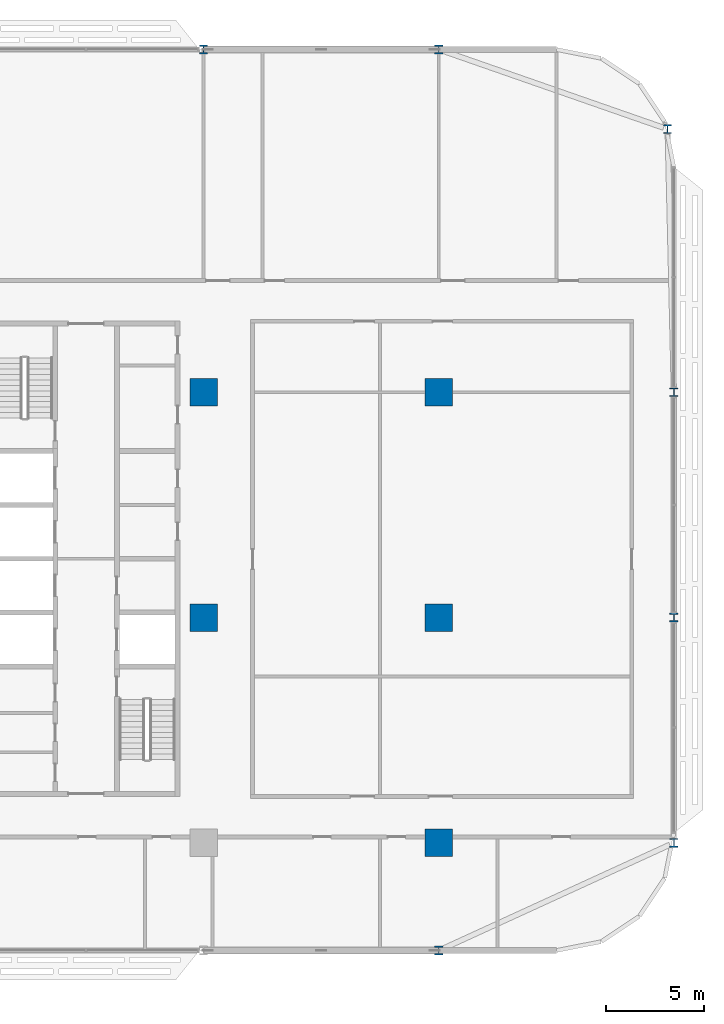
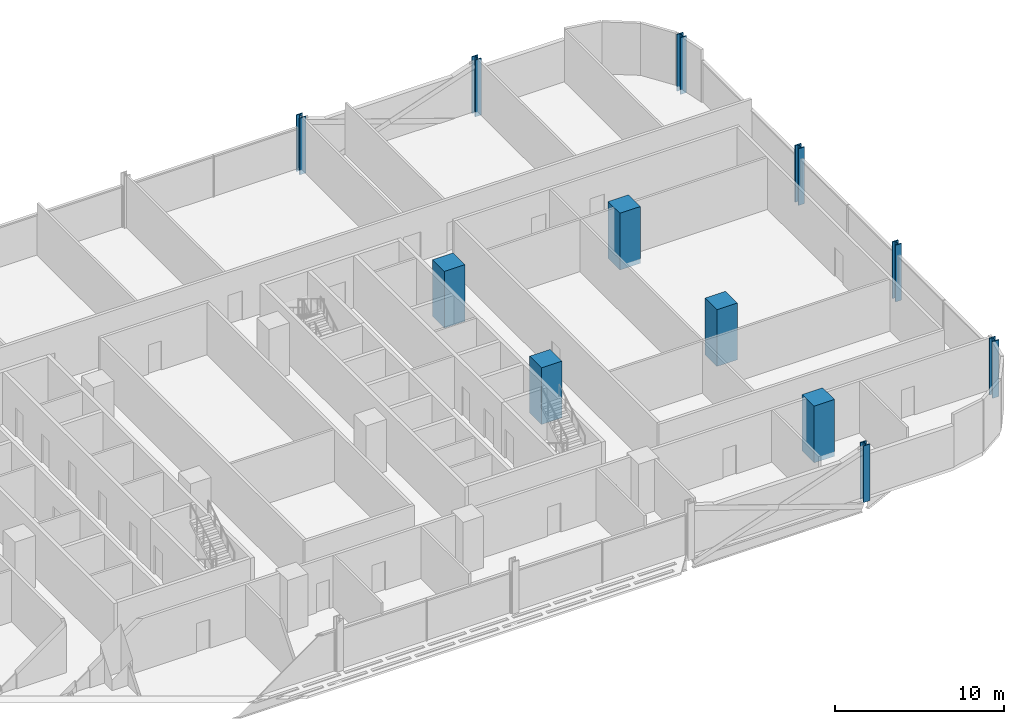
# One storey, part 2 of 29: 12 columns.
"""IFC4 building model written with IfcOpenShell, lengths in metres."""

from ifc_helpers import new_model, si_unit, direction, frame, origin, origin_2d, place, context, subcontext, project, spatial, rectangle, i_section, extrude, material, material_profile, profile_set, type_object, element, save


model = new_model("IFC4")

# Units and contexts
model_context = context("Model", 3, precision=1e-05, world=origin(), true_north=direction((0.0, 1.0)))
body_context = subcontext(model_context, "Body", "Model", "MODEL_VIEW")
ifc_project = project(units=[si_unit("LENGTHUNIT", "METRE"), si_unit("AREAUNIT", "SQUARE_METRE"), si_unit("VOLUMEUNIT", "CUBIC_METRE"), si_unit("PLANEANGLEUNIT", "RADIAN"), si_unit("MASSUNIT", "GRAM", prefix="KILO")], contexts=[model_context])

# Site, building, storey
site_placement = place(None, origin())
site = spatial("IfcSite", under=ifc_project, at=site_placement, CompositionType="ELEMENT")
building_placement = place(site_placement, origin())
building = spatial("IfcBuilding", under=site, at=building_placement, Name="Mahtab Terrace Research Tower", CompositionType="ELEMENT")
storey_placement = place(building_placement, frame((0.0, 0.0, 93.0)))
storey = spatial("IfcBuildingStorey", under=building, at=storey_placement, Name="L21", CompositionType="ELEMENT", Elevation=93.0)

# Columns
ifc_material_1 = material(Name="Concrete C70/85", Category="concrete")
ifc_material_profile_1 = material_profile(ifc_material_1, rectangle(XDim=1.39990234375, YDim=1.39990234375, at=origin_2d()), Name="RC column 1400x1400")
ifc_profile_set_1 = profile_set([ifc_material_profile_1], Name="Concrete C70/85")
column_type_1 = type_object("IfcColumnType", Name="RC column 1400x1400", PredefinedType="COLUMN", material=ifc_profile_set_1)
for number, where, z_axis, x_axis, name in (
    (1, (30.0, 0.0, -0.340087890625), (0.0, 0.0, 1.0), (1.0, 0.0, 0.0), "Column RC-7B L21"),
    (2, (30.0, 11.5, -0.340087890625), (0.0, 0.0, 1.0), (1.0, 0.0, 0.0), "Column RC-7C L21"),
    (3, (42.0, -11.5, -0.340087890625), (0.0, 0.0, 1.0), (1.0, 0.0, 0.0), "Column RC-8A L21"),
    (4, (42.0, 0.0, -0.340087890625), (0.0, 0.0, 1.0), (1.0, 0.0, 0.0), "Column RC-8B L21"),
    (5, (42.0, 11.5, -0.340087890625), (0.0, 0.0, 1.0), (1.0, 0.0, 0.0), "Column RC-8C L21"),
):
    element("IfcColumn", number, at=place(storey_placement, frame(where, z_axis=z_axis, x_axis=x_axis)), inside=storey, type_object=column_type_1, Name=name, PredefinedType="COLUMN", context=body_context, shape_type="SweptSolid", body=[
        extrude(rectangle(XDim=1.39990234375, YDim=1.39990234375, at=origin_2d()), origin(), (0.0, 0.0, 1.0), 4.10009765625),
    ])
ifc_material_2 = material(Name="Steel ASTM A992 Gr 50", Category="steel")
ifc_material_profile_2 = material_profile(ifc_material_2, i_section(OverallWidth=0.419189453125, OverallDepth=0.45458984375, WebThickness=0.042236328125, FlangeThickness=0.067626953125, at=origin_2d()), Name="W14X370")
ifc_profile_set_2 = profile_set([ifc_material_profile_2], Name="Steel ASTM A992 Gr 50")
column_type_2 = type_object("IfcColumnType", Name="W14x370 column CS14370", PredefinedType="COLUMN", material=ifc_profile_set_2)
for number, where, z_axis, x_axis, name in (
    (6, (53.681884765625, 24.927001953125, -0.340087890625), (0.0, 0.0, 1.0), (1.0, 0.0, 0.0), "Column SC-030 L21"),
    (7, (42.0, 29.0, -0.340087890625), (0.0, 0.0, 1.0), (1.0, 0.0, 0.0), "Column SC-031 L21"),
    (8, (30.0, 29.0, -0.340087890625), (0.0, 0.0, 1.0), (1.0, 0.0, 0.0), "Column SC-032 L21"),
    (9, (42.0, -17.0, -0.340087890625), (0.0, 0.0, 1.0), (1.0, 0.0, 0.0), "Column SC-045 L21"),
    (10, (54.0, -11.5, -0.340087890625), (0.0, 0.0, 1.0), (1.0, 0.0, 0.0), "Column SC-027 L21"),
    (11, (54.0, 0.0, -0.340087890625), (0.0, 0.0, 1.0), (1.0, 0.0, 0.0), "Column SC-028 L21"),
    (12, (54.0, 11.5, -0.340087890625), (0.0, 0.0, 1.0), (1.0, 0.0, 0.0), "Column SC-029 L21"),
):
    element("IfcColumn", number, at=place(storey_placement, frame(where, z_axis=z_axis, x_axis=x_axis)), inside=storey, type_object=column_type_2, Name=name, PredefinedType="COLUMN", context=body_context, shape_type="SweptSolid", body=[
        extrude(i_section(OverallWidth=0.419189453125, OverallDepth=0.45458984375, WebThickness=0.042236328125, FlangeThickness=0.067626953125, at=origin_2d()), origin(), (0.0, 0.0, 1.0), 4.10009765625),
    ])

save(model, "model.ifc")
